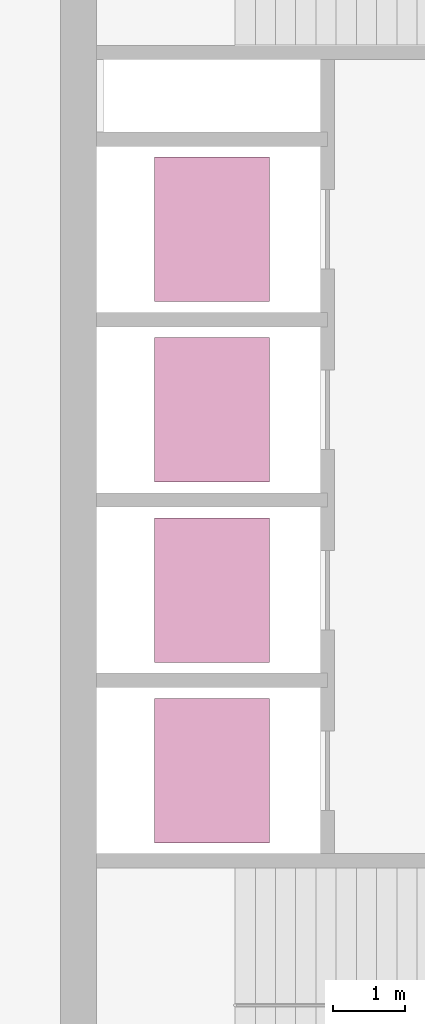
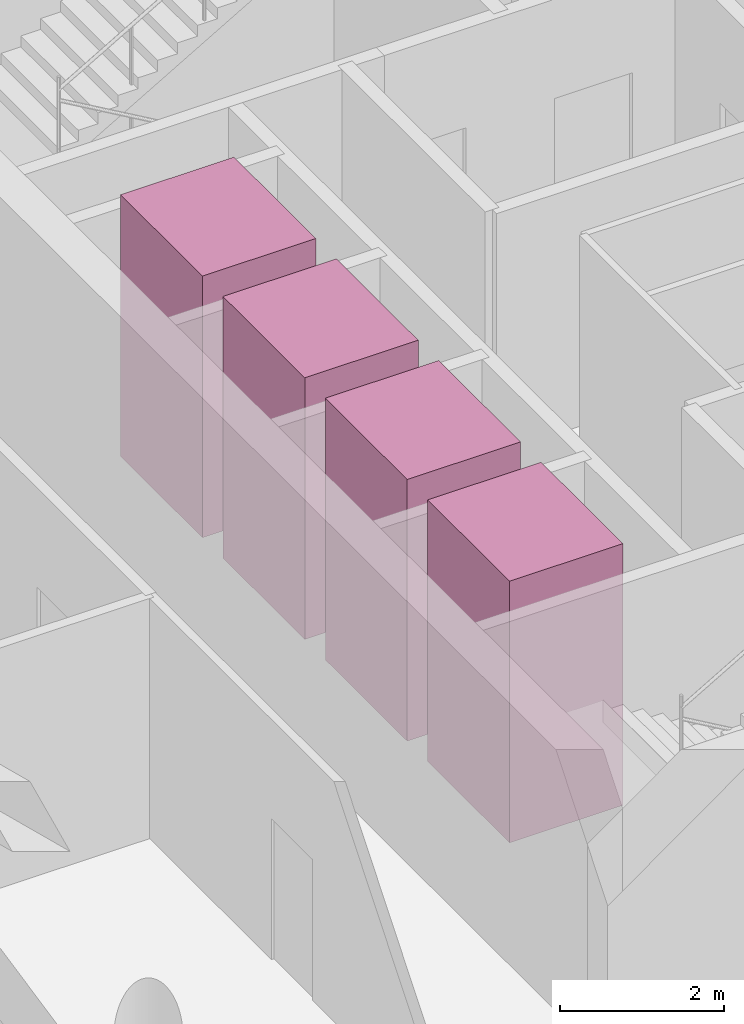
# One storey, part 8 of 8: 4 transport elements.
"""IFC4 building model written with IfcOpenShell, lengths in metres."""

from ifc_helpers import new_model, si_unit, direction, frame, origin, origin_2d, place, context, subcontext, project, spatial, rectangle, extrude, material, type_object, element, save


model = new_model("IFC4")

# Units and contexts
model_context = context("Model", 3, precision=1e-05, world=origin(), true_north=direction((0.0, 1.0)))
body_context = subcontext(model_context, "Body", "Model", "MODEL_VIEW")
ifc_project = project(units=[si_unit("LENGTHUNIT", "METRE"), si_unit("AREAUNIT", "SQUARE_METRE"), si_unit("VOLUMEUNIT", "CUBIC_METRE"), si_unit("PLANEANGLEUNIT", "RADIAN"), si_unit("MASSUNIT", "GRAM", prefix="KILO")], contexts=[model_context])

# Site, building, storey
site_placement = place(None, origin())
site = spatial("IfcSite", under=ifc_project, at=site_placement, CompositionType="ELEMENT")
building_placement = place(site_placement, origin())
building = spatial("IfcBuilding", under=site, at=building_placement, Name="Qaws Garden Tower", CompositionType="ELEMENT")
storey_placement = place(building_placement, frame((0.0, 0.0, 309.89990234375)))
storey = spatial("IfcBuildingStorey", under=building, at=storey_placement, Name="L75", CompositionType="ELEMENT", Elevation=309.89990234375)

# Transport elements
ifc_material = material(Name="Stainless steel 316", Category="steel")
transport_element_type = type_object("IfcTransportElementType", Name="Passenger lift car 2000x1600 1800 kg", PredefinedType="ELEVATOR", material=ifc_material)
for number, where, z_axis, x_axis, name in (
    (1, (10.10009765625, 13.64990234375, 0.000244140625), (0.0, 0.0, 1.0), (1.0, 0.0, 0.0), "HR1"),
    (2, (10.10009765625, 16.14990234375, 0.000244140625), (0.0, 0.0, 1.0), (1.0, 0.0, 0.0), "HR2"),
    (3, (10.10009765625, 18.64990234375, 0.000244140625), (0.0, 0.0, 1.0), (1.0, 0.0, 0.0), "HR3"),
    (4, (10.10009765625, 21.14990234375, 0.000244140625), (0.0, 0.0, 1.0), (1.0, 0.0, 0.0), "HR4"),
):
    element("IfcTransportElement", number, at=place(storey_placement, frame(where, z_axis=z_axis, x_axis=x_axis)), inside=storey, type_object=transport_element_type, Name=name, PredefinedType="ELEVATOR", context=body_context, shape_type="SweptSolid", body=[
        extrude(rectangle(XDim=1.60009765625, YDim=2.0, at=origin_2d()), origin(), (0.0, 0.0, 1.0), 3.89990234375),
    ])

save(model, "model.ifc")
